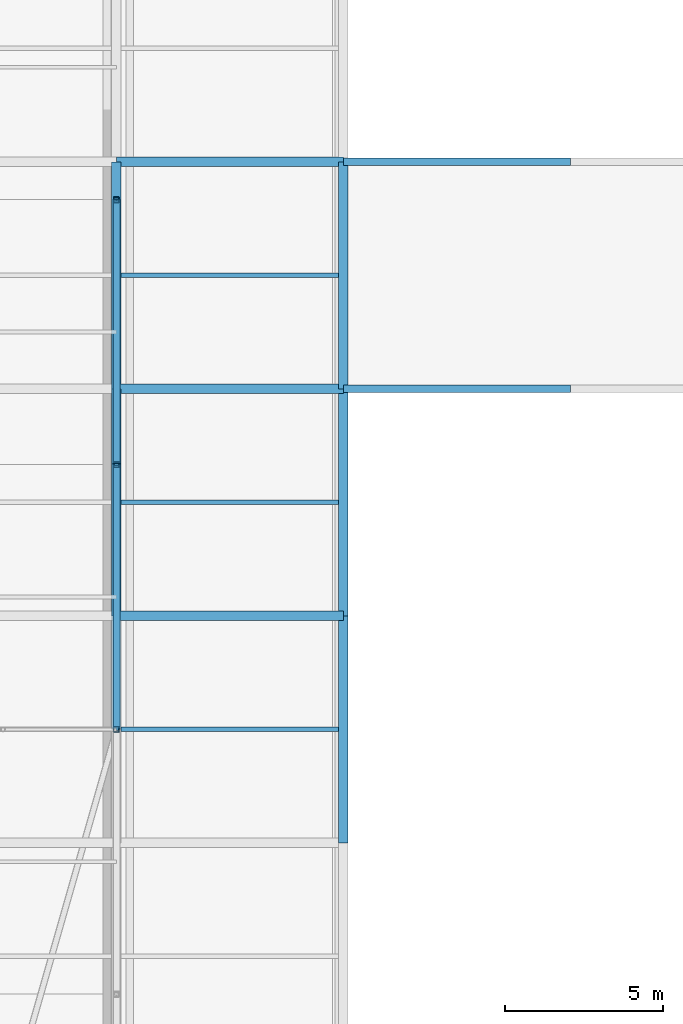
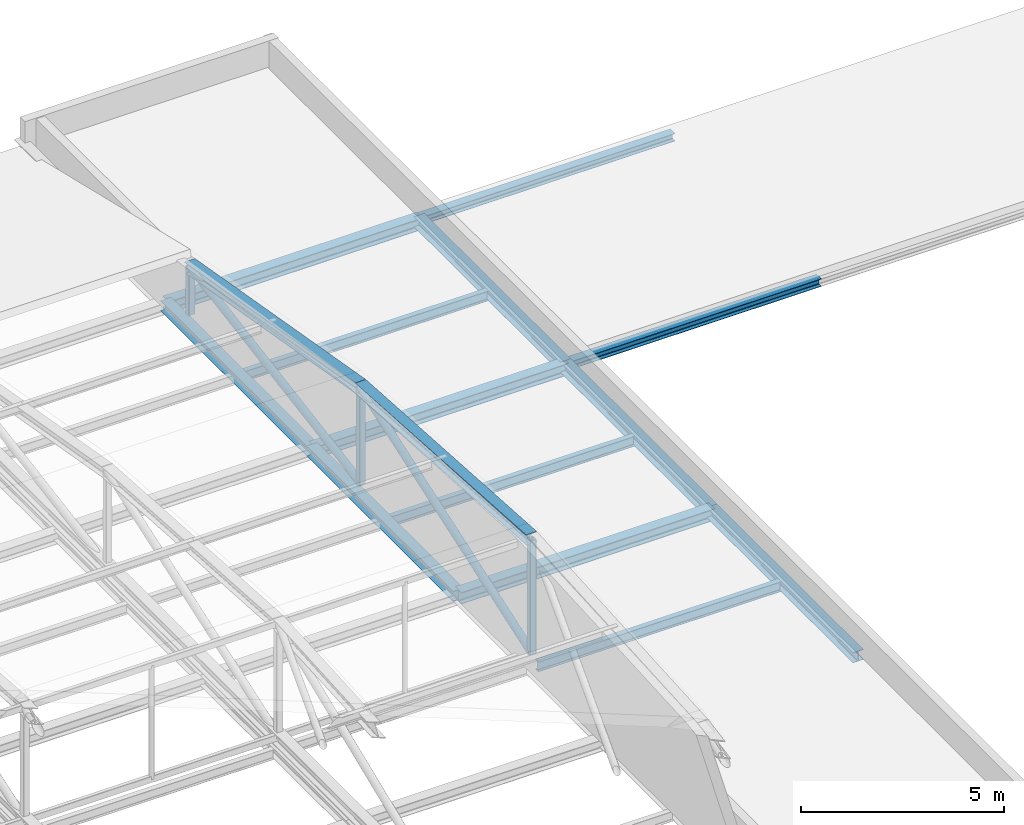
# One storey, part 39 of 76: 13 beams, 7 members.
"""IFC4 building model written with IfcOpenShell, lengths in metres."""

from ifc_helpers import new_model, si_unit, direction, frame, origin, origin_2d, place, context, subcontext, project, spatial, hollow_rectangle, hollow_circle, i_section, extrude, material, material_profile, profile_set, type_object, element, save


model = new_model("IFC4")

# Units and contexts
model_context = context("Model", 3, precision=1e-05, world=origin(), true_north=direction((0.0, 1.0)))
body_context = subcontext(model_context, "Body", "Model", "MODEL_VIEW")
ifc_project = project(units=[si_unit("LENGTHUNIT", "METRE"), si_unit("AREAUNIT", "SQUARE_METRE"), si_unit("VOLUMEUNIT", "CUBIC_METRE"), si_unit("PLANEANGLEUNIT", "RADIAN"), si_unit("MASSUNIT", "GRAM", prefix="KILO")], contexts=[model_context])

# Site, building, storey
site_placement = place(None, origin())
site = spatial("IfcSite", under=ifc_project, at=site_placement, CompositionType="ELEMENT")
building_placement = place(site_placement, origin())
building = spatial("IfcBuilding", under=site, at=building_placement, Name="Zlatovets Crest Museum", CompositionType="ELEMENT")
storey_placement = place(building_placement, frame((0.0, 0.0, 17.10009765625)))
storey = spatial("IfcBuildingStorey", under=building, at=storey_placement, Name="L04", CompositionType="ELEMENT", Elevation=17.10009765625)

# Beams
ifc_material = material(Name="Structural steel S355J2", Category="steel")
ifc_material_profile_1 = material_profile(ifc_material, i_section(OverallWidth=0.300048828125, OverallDepth=0.35009765625, WebThickness=0.010009765625, FlangeThickness=0.017578125, FilletRadius=0.027099609375, at=origin_2d()), Name="HEA 360")
ifc_profile_set_1 = profile_set([ifc_material_profile_1], Name="Structural steel S355J2")
beam_type_1 = type_object("IfcBeamType", Name="Beam_B-03", PredefinedType="BEAM", material=ifc_profile_set_1)
for number, where, z_axis, x_axis, name in (
    (1, (28.800048828125, 79.199951171875, -0.39501953125), (1.0, 0.0, 0.0), (0.0, 1.0, 0.0), "V4 L04 Primary Girder B-03"),
    (2, (28.800048828125, 86.39990234375, -0.39501953125), (1.0, 0.0, 0.0), (0.0, 1.0, 0.0), "V4 L04 Primary Girder B-03"),
    (3, (28.800048828125, 93.60009765625, -0.39501953125), (1.0, 0.0, 0.0), (0.0, 1.0, 0.0), "V4 L04 Primary Girder B-03"),
):
    element("IfcBeam", number, at=place(storey_placement, frame(where, z_axis=z_axis, x_axis=x_axis)), inside=storey, type_object=beam_type_1, Name=name, PredefinedType="BEAM", context=body_context, shape_type="SweptSolid", body=[
        extrude(i_section(OverallWidth=0.300048828125, OverallDepth=0.35009765625, WebThickness=0.010009765625, FlangeThickness=0.017578125, FilletRadius=0.027099609375, at=origin_2d()), origin(), (0.0, 0.0, 1.0), 7.199951171875),
    ])
ifc_material_profile_2 = material_profile(ifc_material, i_section(OverallWidth=0.300048828125, OverallDepth=0.31005859375, WebThickness=0.009033203125, FlangeThickness=0.015380859375, FilletRadius=0.027099609375, at=origin_2d()), Name="HEA 320")
ifc_profile_set_2 = profile_set([ifc_material_profile_2], Name="Structural steel S355J2")
beam_type_2 = type_object("IfcBeamType", Name="Beam_B-04", PredefinedType="BEAM", material=ifc_profile_set_2)
beam_1_placement = place(storey_placement, frame((28.800048828125, 79.199951171875, -0.375), z_axis=(0.0, 1.0, 0.0), x_axis=(-1.0, 0.0, 0.0)))
element("IfcBeam", 4, at=beam_1_placement, inside=storey, type_object=beam_type_2, Name="V4 L04 Grid Beam B-04", PredefinedType="BEAM", context=body_context, shape_type="SweptSolid", body=[
    extrude(i_section(OverallWidth=0.300048828125, OverallDepth=0.31005859375, WebThickness=0.009033203125, FlangeThickness=0.015380859375, FilletRadius=0.027099609375, at=origin_2d()), origin(), (0.0, 0.0, 1.0), 7.199951171875),
])
beam_2_placement = place(storey_placement, frame((28.800048828125, 86.39990234375, -0.375), z_axis=(0.0, 1.0, 0.0), x_axis=(-1.0, 0.0, 0.0)))
element("IfcBeam", 5, at=beam_2_placement, inside=storey, type_object=beam_type_2, Name="V4 L04 Grid Beam B-04", PredefinedType="BEAM", context=body_context, shape_type="SweptSolid", body=[
    extrude(i_section(OverallWidth=0.300048828125, OverallDepth=0.31005859375, WebThickness=0.009033203125, FlangeThickness=0.015380859375, FilletRadius=0.027099609375, at=origin_2d()), origin(), (0.0, 0.0, 1.0), 7.2001953125),
])
for number, where, z_axis, x_axis, name in (
    (6, (36.0, 72.0, -0.375), (0.0, 1.0, 0.0), (-1.0, 0.0, 0.0), "V4 L04 Grid Beam B-04"),
    (7, (36.0, 79.199951171875, -0.375), (0.0, 1.0, 0.0), (-1.0, 0.0, 0.0), "V4 L04 Grid Beam B-04"),
):
    element("IfcBeam", number, at=place(storey_placement, frame(where, z_axis=z_axis, x_axis=x_axis)), inside=storey, type_object=beam_type_2, Name=name, PredefinedType="BEAM", context=body_context, shape_type="SweptSolid", body=[
        extrude(i_section(OverallWidth=0.300048828125, OverallDepth=0.31005859375, WebThickness=0.009033203125, FlangeThickness=0.015380859375, FilletRadius=0.027099609375, at=origin_2d()), origin(), (0.0, 0.0, 1.0), 7.199951171875),
    ])
beam_3_placement = place(storey_placement, frame((36.0, 86.39990234375, -0.375), z_axis=(0.0, 1.0, 0.0), x_axis=(-1.0, 0.0, 0.0)))
element("IfcBeam", 8, at=beam_3_placement, inside=storey, type_object=beam_type_2, Name="V4 L04 Grid Beam B-04", PredefinedType="BEAM", context=body_context, shape_type="SweptSolid", body=[
    extrude(i_section(OverallWidth=0.300048828125, OverallDepth=0.31005859375, WebThickness=0.009033203125, FlangeThickness=0.015380859375, FilletRadius=0.027099609375, at=origin_2d()), origin(), (0.0, 0.0, 1.0), 7.2001953125),
])
ifc_material_profile_3 = material_profile(ifc_material, i_section(OverallWidth=0.239990234375, OverallDepth=0.22998046875, WebThickness=0.007568359375, FlangeThickness=0.011962890625, FilletRadius=0.02099609375, at=origin_2d()), Name="HEA 240")
ifc_profile_set_3 = profile_set([ifc_material_profile_3], Name="Structural steel S355J2")
beam_type_3 = type_object("IfcBeamType", Name="Beam_B-06", PredefinedType="BEAM", material=ifc_profile_set_3)
for number, where, z_axis, x_axis, name in (
    (9, (36.0, 86.39990234375, -0.335205078125), (1.0, 0.0, 0.0), (0.0, 1.0, 0.0), "Northwest Crest Glazed Link Bridge Roof Edge Beam"),
    (10, (36.0, 93.60009765625, -0.335205078125), (1.0, 0.0, 0.0), (0.0, 1.0, 0.0), "Northwest Crest Glazed Link Bridge Roof Edge Beam"),
):
    element("IfcBeam", number, at=place(storey_placement, frame(where, z_axis=z_axis, x_axis=x_axis)), inside=storey, type_object=beam_type_3, Name=name, PredefinedType="BEAM", context=body_context, shape_type="SweptSolid", body=[
        extrude(i_section(OverallWidth=0.239990234375, OverallDepth=0.22998046875, WebThickness=0.007568359375, FlangeThickness=0.011962890625, FilletRadius=0.02099609375, at=origin_2d()), origin(), (0.0, 0.0, 1.0), 7.199951171875),
    ])
ifc_material_profile_4 = material_profile(ifc_material, i_section(OverallWidth=0.14990234375, OverallDepth=0.300048828125, WebThickness=0.007080078125, FlangeThickness=0.0107421875, FilletRadius=0.014892578125, at=origin_2d()), Name="IPE 300")
ifc_profile_set_4 = profile_set([ifc_material_profile_4], Name="Structural steel S355J2")
beam_type_4 = type_object("IfcBeamType", Name="Beam_J-02", PredefinedType="JOIST", material=ifc_profile_set_4)
for number, where, z_axis, x_axis, name in (
    (11, (28.949951171875, 75.60009765625, -0.3701171875), (1.0, 0.0, 0.0), (0.0, 1.0, 0.0), "V4 L04 Composite Joist J-02"),
    (12, (28.949951171875, 82.800048828125, -0.3701171875), (1.0, 0.0, 0.0), (0.0, 1.0, 0.0), "V4 L04 Composite Joist J-02"),
    (13, (28.949951171875, 90.0, -0.3701171875), (1.0, 0.0, 0.0), (0.0, 1.0, 0.0), "V4 L04 Composite Joist J-02"),
):
    element("IfcBeam", number, at=place(storey_placement, frame(where, z_axis=z_axis, x_axis=x_axis)), inside=storey, type_object=beam_type_4, Name=name, PredefinedType="JOIST", context=body_context, shape_type="SweptSolid", body=[
        extrude(i_section(OverallWidth=0.14990234375, OverallDepth=0.300048828125, WebThickness=0.007080078125, FlangeThickness=0.0107421875, FilletRadius=0.014892578125, at=origin_2d()), origin(), (0.0, 0.0, 1.0), 6.900146484375),
    ])

# Members
ifc_material_profile_5 = material_profile(ifc_material, i_section(OverallWidth=0.300048828125, OverallDepth=0.31005859375, WebThickness=0.009033203125, FlangeThickness=0.015380859375, FilletRadius=0.027099609375, at=origin_2d()), Name="HEA 320")
ifc_profile_set_5 = profile_set([ifc_material_profile_5], Name="Structural steel S355J2")
member_type_1 = type_object("IfcMemberType", Name="Member_TM-02", PredefinedType="RAFTER", material=ifc_profile_set_5)
member_1_placement = place(storey_placement, frame((28.800048828125, 75.60009765625, 3.5), z_axis=(0.0, 0.997971161643, -0.063667578324), x_axis=(-1.0, 0.0, 0.0)))
element("IfcMember", 14, at=member_1_placement, inside=storey, type_object=member_type_1, Name="V4 Art Nouveau Curved Vault Rib", PredefinedType="RAFTER", context=body_context, shape_type="SweptSolid", body=[
    extrude(i_section(OverallWidth=0.300048828125, OverallDepth=0.31005859375, WebThickness=0.009033203125, FlangeThickness=0.015380859375, FilletRadius=0.027099609375, at=origin_2d()), origin(), (0.0, 0.0, 1.0), 8.4169921875),
])
member_2_placement = place(storey_placement, frame((28.800048828125, 84.0, 2.964111328125), z_axis=(0.0, 0.985147168776, -0.171712130766), x_axis=(-1.0, 0.0, 0.0)))
element("IfcMember", 15, at=member_2_placement, inside=storey, type_object=member_type_1, Name="V4 Art Nouveau Curved Vault Rib", PredefinedType="RAFTER", context=body_context, shape_type="SweptSolid", body=[
    extrude(i_section(OverallWidth=0.300048828125, OverallDepth=0.31005859375, WebThickness=0.009033203125, FlangeThickness=0.015380859375, FilletRadius=0.027099609375, at=origin_2d()), origin(), (0.0, 0.0, 1.0), 8.526611328125),
])
ifc_material_profile_6 = material_profile(ifc_material, hollow_rectangle(XDim=0.179931640625, YDim=0.179931640625, WallThickness=0.010009765625, InnerFilletRadius=0.010009765625, OuterFilletRadius=0.02001953125, at=origin_2d()), Name="SHS 180x180x10.0")
ifc_profile_set_6 = profile_set([ifc_material_profile_6], Name="Structural steel S355J2")
member_type_2 = type_object("IfcMemberType", Name="Member_TM-04", PredefinedType="STRUT", material=ifc_profile_set_6)
member_3_placement = place(storey_placement, frame((28.800048828125, 75.60009765625, 0.079833984375), z_axis=(0.0, 0.0, 1.0), x_axis=(1.0, 0.0, 0.0)))
element("IfcMember", 16, at=member_3_placement, inside=storey, type_object=member_type_2, Name="V4 Barrel Vault Web Strut", PredefinedType="STRUT", context=body_context, shape_type="SweptSolid", body=[
    extrude(hollow_rectangle(XDim=0.179931640625, YDim=0.179931640625, WallThickness=0.010009765625, InnerFilletRadius=0.010009765625, OuterFilletRadius=0.02001953125, at=origin_2d()), origin(), (0.0, 0.0, 1.0), 3.420166015625),
])
member_4_placement = place(storey_placement, frame((28.800048828125, 84.0, 0.079833984375), z_axis=(0.0, 0.0, 1.0), x_axis=(1.0, 0.0, 0.0)))
element("IfcMember", 17, at=member_4_placement, inside=storey, type_object=member_type_2, Name="V4 Barrel Vault Web Strut", PredefinedType="STRUT", context=body_context, shape_type="SweptSolid", body=[
    extrude(hollow_rectangle(XDim=0.179931640625, YDim=0.179931640625, WallThickness=0.010009765625, InnerFilletRadius=0.010009765625, OuterFilletRadius=0.02001953125, at=origin_2d()), origin(), (0.0, 0.0, 1.0), 2.88427734375),
])
member_5_placement = place(storey_placement, frame((28.800048828125, 92.39990234375, 0.079833984375), z_axis=(0.0, 0.0, 1.0), x_axis=(1.0, 0.0, 0.0)))
element("IfcMember", 18, at=member_5_placement, inside=storey, type_object=member_type_2, Name="V4 Barrel Vault Web Strut", PredefinedType="STRUT", context=body_context, shape_type="SweptSolid", body=[
    extrude(hollow_rectangle(XDim=0.179931640625, YDim=0.179931640625, WallThickness=0.010009765625, InnerFilletRadius=0.010009765625, OuterFilletRadius=0.02001953125, at=origin_2d()), origin(), (0.0, 0.0, 1.0), 1.420166015625),
])
ifc_material_profile_7 = material_profile(ifc_material, hollow_circle(Radius=0.109619140625, WallThickness=0.010009765625, at=origin_2d()), Name="CHS 219.1x10.0")
ifc_profile_set_7 = profile_set([ifc_material_profile_7], Name="Structural steel S355J2")
member_type_3 = type_object("IfcMemberType", Name="Member_TM-05", PredefinedType="BRACE", material=ifc_profile_set_7)
member_6_placement = place(storey_placement, frame((28.800048828125, 75.60009765625, 0.079833984375), z_axis=(0.0, 0.945796934136, 0.324758617098), x_axis=(-1.0, 0.0, 0.0)))
element("IfcMember", 19, at=member_6_placement, inside=storey, type_object=member_type_3, Name="V4 Barrel Vault Web Diagonal", PredefinedType="BRACE", context=body_context, shape_type="SweptSolid", body=[
    extrude(hollow_circle(Radius=0.109619140625, WallThickness=0.010009765625, at=origin_2d()), origin(), (0.0, 0.0, 1.0), 8.88134765625),
])
member_7_placement = place(storey_placement, frame((28.800048828125, 84.0, 0.079833984375), z_axis=(0.0, 0.986007058524, 0.166703570872), x_axis=(-1.0, 0.0, 0.0)))
element("IfcMember", 20, at=member_7_placement, inside=storey, type_object=member_type_3, Name="V4 Barrel Vault Web Diagonal", PredefinedType="BRACE", context=body_context, shape_type="SweptSolid", body=[
    extrude(hollow_circle(Radius=0.109619140625, WallThickness=0.010009765625, at=origin_2d()), origin(), (0.0, 0.0, 1.0), 8.51904296875),
])

save(model, "model.ifc")
